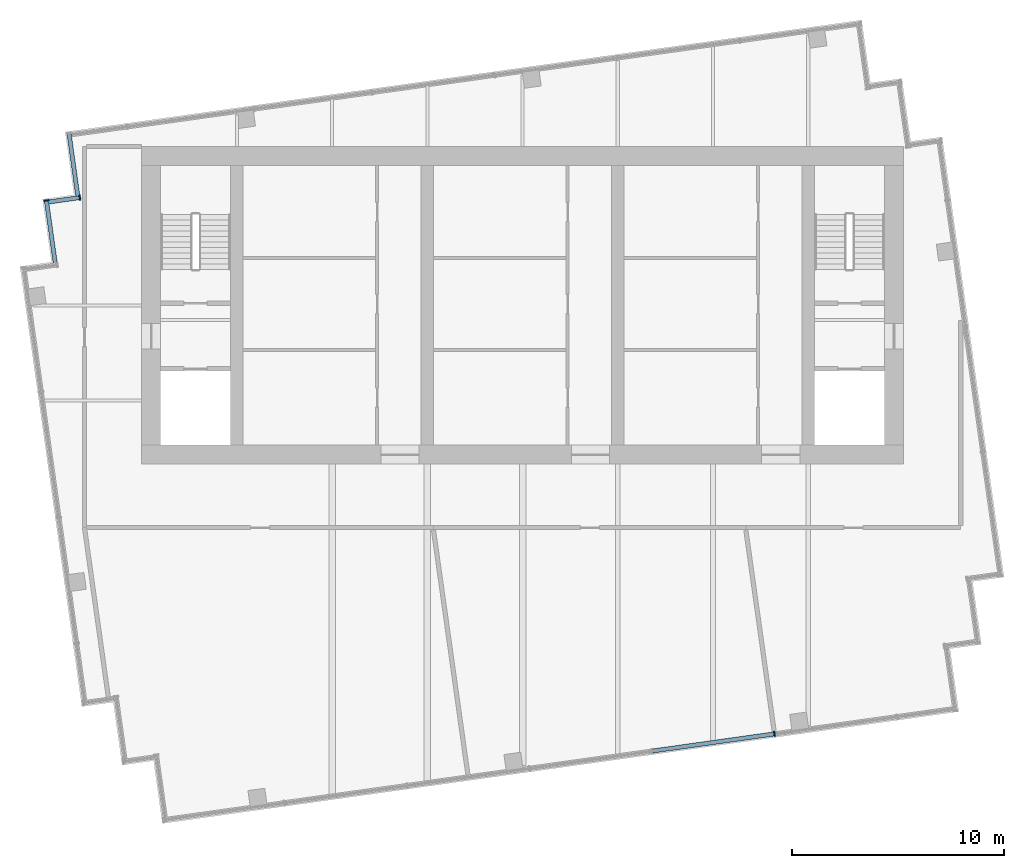
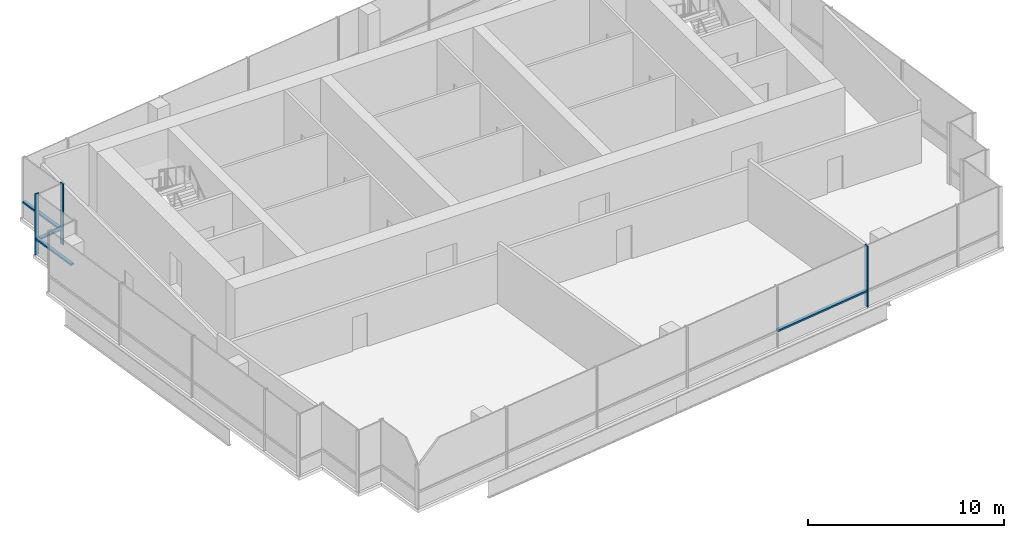
# One storey, part 3 of 9: 7 members, 4 elements without a shape of their own.
"""IFC4 building model written with IfcOpenShell, lengths in metres."""

import ifcopenshell
import ifcopenshell.guid

model = None  # the IFC model being written
_history = None  # IfcOwnerHistory: only IFC2X3 demands one
_inside = {}  # id of a spatial element -> (the spatial element, [elements in it])
_under = {}  # id of a project, library or spatial element -> (it, [spatial elements below it])
_declared = {}  # id of a project -> (the project, [libraries it declares])
_typed = {}  # id of a type object -> (the type object, [elements of that type])
_made_of = {}  # id of a material, layer set ... -> (it, [elements and type objects made of it])


def new_model(schema):
    """Start an empty IFC model of exactly this schema.

    Asked for "IFC4X3", IfcOpenShell would pick the latest addendum, in which some entities
    have other attributes; the version numbers below select the first issue.
    IFC2X3 requires an IfcOwnerHistory on every rooted entity: one is made here for all.
    """
    global model, _history
    if schema == "IFC4X3":
        model = ifcopenshell.file(schema_version=(4, 3, 0, 0))
    else:
        model = ifcopenshell.file(schema=schema)
    _inside.clear()
    _under.clear()
    _declared.clear()
    _typed.clear()
    _made_of.clear()
    _history = None
    if model.schema == "IFC2X3":
        org = make("IfcOrganization", Name="unknown")
        user = make(
            "IfcPersonAndOrganization",
            ThePerson=make("IfcPerson", FamilyName="unknown"),
            TheOrganization=org,
        )
        app = make(
            "IfcApplication",
            ApplicationDeveloper=org,
            Version="unknown",
            ApplicationFullName="unknown",
            ApplicationIdentifier="unknown",
        )
        _history = make(
            "IfcOwnerHistory",
            OwningUser=user,
            OwningApplication=app,
            ChangeAction="ADDED",
            CreationDate=0,
        )
    return model


def make(cls, **values):
    """One entity of the class cls with the attributes given. An attribute that is None is left unset."""
    return model.create_entity(
        cls, **{name: value for name, value in values.items() if value is not None}
    )


def rooted(cls, **values):
    """An entity with a GlobalId (a new one), such as an element, a storey or a relation."""
    return make(cls, GlobalId=ifcopenshell.guid.new(), OwnerHistory=_history, **values)


def si_unit(unit_type, name, prefix=None):
    """IfcSIUnit, for example si_unit("LENGTHUNIT", "METRE", prefix="MILLI")."""
    return make("IfcSIUnit", UnitType=unit_type, Prefix=prefix, Name=name)


def assignment(units):
    """IfcUnitAssignment: the units of a project."""
    return None if units is None else make("IfcUnitAssignment", Units=units)


def point(xyz):
    """IfcCartesianPoint."""
    return None if xyz is None else make("IfcCartesianPoint", Coordinates=xyz)


def direction(xyz):
    """IfcDirection."""
    return None if xyz is None else make("IfcDirection", DirectionRatios=xyz)


def frame(location, z_axis=None, x_axis=None):
    """IfcAxis2Placement3D, a coordinate frame: its origin and axes. An axis left out is left unset."""
    return make(
        "IfcAxis2Placement3D",
        Location=point(location),
        Axis=direction(z_axis),
        RefDirection=direction(x_axis),
    )


def frame_2d(location, x_axis=None):
    """IfcAxis2Placement2D, a coordinate frame in the plane: its origin and x axis."""
    return make(
        "IfcAxis2Placement2D", Location=point(location), RefDirection=direction(x_axis)
    )


def origin():
    """The frame at (0, 0, 0) with its axes left unset."""
    return frame((0.0, 0.0, 0.0))


def origin_2d():
    """The frame at (0, 0) in the plane with its x axis left unset."""
    return frame_2d((0.0, 0.0))


def place(relative_to, where):
    """IfcLocalPlacement: puts the frame where relative to a parent placement (None: the world)."""
    return make(
        "IfcLocalPlacement", PlacementRelTo=relative_to, RelativePlacement=where
    )


def context(
    kind, dimensions, precision=None, world=None, true_north=None, identifier=None
):
    """IfcGeometricRepresentationContext, for example the 3D "Model" context."""
    return make(
        "IfcGeometricRepresentationContext",
        ContextIdentifier=identifier,
        ContextType=kind,
        CoordinateSpaceDimension=dimensions,
        Precision=precision,
        WorldCoordinateSystem=world,
        TrueNorth=true_north,
    )


def subcontext(parent, identifier, kind, view, scale=None):
    """IfcGeometricRepresentationSubContext, for example "Body" below "Model"."""
    return make(
        "IfcGeometricRepresentationSubContext",
        ContextIdentifier=identifier,
        ContextType=kind,
        ParentContext=parent,
        TargetScale=scale,
        TargetView=view,
    )


def project(units=None, contexts=None):
    """IfcProject with its units and contexts."""
    return rooted(
        "IfcProject",
        Name="project",
        RepresentationContexts=contexts,
        UnitsInContext=assignment(units),
    )


def spatial(cls, under=None, at=None, **own):
    """A site, building, storey or space (cls), placed at a placement, below another one or the project."""
    s = rooted(cls, ObjectPlacement=at, **own)
    if under is not None:
        _under.setdefault(under.id(), (under, []))[1].append(s)
    return s


def profile(cls, at=None, kind="AREA", **sizes):
    """A parametric profile (cls). Its sizes go by their IFC names, for example OverallWidth=200.0."""
    return make(cls, ProfileType=kind, Position=at, **sizes)


def rectangle(**sizes):
    """IfcRectangleProfileDef."""
    return profile("IfcRectangleProfileDef", **sizes)


def extrude(swept, where, along, depth):
    """IfcExtrudedAreaSolid: the profile swept, set in the frame where, extruded along a direction by depth."""
    return make(
        "IfcExtrudedAreaSolid",
        SweptArea=swept,
        Position=where,
        ExtrudedDirection=direction(along),
        Depth=depth,
    )


def shape(context_of_items, identifier, shape_type, items):
    """IfcShapeRepresentation: the items that make up one representation, for example the "Body"."""
    return make(
        "IfcShapeRepresentation",
        ContextOfItems=context_of_items,
        RepresentationIdentifier=identifier,
        RepresentationType=shape_type,
        Items=items,
    )


def material(Name=None, Category=None):
    """IfcMaterial."""
    return make("IfcMaterial", Name=Name, Category=Category)


def layer(
    of_material, thickness, ventilated=None, Name=None, Category=None, Priority=None
):
    """IfcMaterialLayer: one layer of a wall or slab, of a material (None: an air gap)."""
    return make(
        "IfcMaterialLayer",
        Material=of_material,
        LayerThickness=thickness,
        IsVentilated=ventilated,
        Name=Name,
        Category=Category,
        Priority=Priority,
    )


def layer_set(layers, Name=None):
    """IfcMaterialLayerSet."""
    return make("IfcMaterialLayerSet", MaterialLayers=layers, LayerSetName=Name)


def material_profile(
    of_material, cross_section, Name=None, Category=None, Priority=None
):
    """IfcMaterialProfile: a cross section and its material."""
    return make(
        "IfcMaterialProfile",
        Name=Name,
        Material=of_material,
        Profile=cross_section,
        Priority=Priority,
        Category=Category,
    )


def profile_set(profiles, Name=None, composite=None):
    """IfcMaterialProfileSet."""
    return make(
        "IfcMaterialProfileSet",
        Name=Name,
        MaterialProfiles=profiles,
        CompositeProfile=composite,
    )


def made_of(thing, what):
    """Note that an element or type object is made of a material, layer set ...; save() writes the relation."""
    if what is not None:
        _made_of.setdefault(what.id(), (what, []))[1].append(thing)
    return thing


def type_object(cls, material=None, **own):
    """A type object (cls), such as IfcWallType, which elements share."""
    return made_of(rooted(cls, **own), material)


def element(
    cls,
    number,
    at=None,
    inside=None,
    cuts=None,
    type_object=None,
    material=None,
    context=None,
    identifier="Body",
    shape_type=None,
    held_by="IfcProductDefinitionShape",
    body=None,
    shapes=None,
    **own,
):
    """One element of the class cls, such as IfcWall. Its Tag is "e" and its number.

    at: its placement. inside: the storey or other place that contains it. cuts: it is an
    opening in that element (IfcRelVoidsElement). A single representation is given by context,
    identifier, shape_type and body (its items); several are given by shapes. held_by: the class
    of the entity that holds the representations. save() writes the other relations.
    """
    e = rooted(cls, Tag="e%d" % number, ObjectPlacement=at, **own)
    if body is not None:
        shapes = [shape(context, identifier, shape_type, body)]
    if shapes is not None:
        e.Representation = make(held_by, Representations=shapes)
    if inside is not None:
        _inside.setdefault(inside.id(), (inside, []))[1].append(e)
    if cuts is not None:
        rooted(
            "IfcRelVoidsElement", RelatingBuildingElement=cuts, RelatedOpeningElement=e
        )
    if type_object is not None:
        _typed.setdefault(type_object.id(), (type_object, []))[1].append(e)
    return made_of(e, material)


def aggregate(whole, parts):
    """IfcRelAggregates: a whole, such as a stair, and the parts it consists of."""
    return rooted("IfcRelAggregates", RelatingObject=whole, RelatedObjects=parts)


def save(model, path):
    """Write the relations noted so far, then the file.

    IfcRelAggregates (storeys below a building ...), IfcRelContainedInSpatialStructure (elements
    in a storey), IfcRelDefinesByType, IfcRelAssociatesMaterial and IfcRelDeclares: one each for
    every whole, place, type object, material and project.
    """
    for whole, parts in _under.values():
        aggregate(whole, parts)
    for where, things in _inside.values():
        rooted(
            "IfcRelContainedInSpatialStructure",
            RelatedElements=things,
            RelatingStructure=where,
        )
    for kind, things in _typed.values():
        rooted("IfcRelDefinesByType", RelatedObjects=things, RelatingType=kind)
    for what, things in _made_of.values():
        rooted("IfcRelAssociatesMaterial", RelatedObjects=things, RelatingMaterial=what)
    for by, libraries in _declared.values():
        rooted("IfcRelDeclares", RelatingContext=by, RelatedDefinitions=libraries)
    model.write(path)


model = new_model("IFC4")

# Units and contexts
model_context = context("Model", 3, precision=1e-05, world=origin(), true_north=direction((0.0, 1.0)))
body_context = subcontext(model_context, "Body", "Model", "MODEL_VIEW")
ifc_project = project(units=[si_unit("LENGTHUNIT", "METRE"), si_unit("AREAUNIT", "SQUARE_METRE"), si_unit("VOLUMEUNIT", "CUBIC_METRE"), si_unit("PLANEANGLEUNIT", "RADIAN"), si_unit("MASSUNIT", "GRAM", prefix="KILO")], contexts=[model_context])

# Site, building, storey
site_placement = place(None, origin())
site = spatial("IfcSite", under=ifc_project, at=site_placement, CompositionType="ELEMENT")
building_placement = place(site_placement, origin())
building = spatial("IfcBuilding", under=site, at=building_placement, Name="Rattan Terrace Tower", CompositionType="ELEMENT")
storey_placement = place(building_placement, frame((0.0, 0.0, 296.300048828125)))
storey = spatial("IfcBuildingStorey", under=building, at=storey_placement, Name="C02", CompositionType="ELEMENT", Elevation=296.300048828125)

# Curtain wall, member
ifc_material_1 = material(Name="Aluminium and laminated glass", Category="aluminium")
ifc_layer = layer(ifc_material_1, 0.239990234375)
ifc_layer_set = layer_set([ifc_layer], Name="Lantern Stick Curtain Wall")
curtain_wall_type = type_object("IfcCurtainWallType", Name="Lantern Stick Curtain Wall", PredefinedType="NOTDEFINED", material=ifc_layer_set)
curtain_wall_1_placement = place(storey_placement, origin())
curtain_wall_1 = element("IfcCurtainWall", 1, at=curtain_wall_1_placement, inside=storey, type_object=curtain_wall_type, Name="Lantern curtain wall C02-6", PredefinedType="NOTDEFINED")
ifc_material_2 = material(Name="Aluminium", Category="aluminium")
ifc_material_profile_1 = material_profile(ifc_material_2, rectangle(XDim=0.070068359375, YDim=0.239990234375, at=origin_2d()), Name="Aluminium 70x240")
ifc_profile_set_1 = profile_set([ifc_material_profile_1], Name="Aluminium")
member_type_1 = type_object("IfcMemberType", Name="Lantern CW Mullion 70x240", PredefinedType="MULLION", material=ifc_profile_set_1)
member_1_placement = place(storey_placement, frame((11.90283203125, -20.247314453125, 0.0), z_axis=(0.0, 0.0, 1.0), x_axis=(0.990266952226, 0.13918104515, 0.0)))
member_1 = element("IfcMember", 2, at=member_1_placement, type_object=member_type_1, Name="Mullion cwl-C02-006.6", PredefinedType="MULLION", context=body_context, shape_type="SweptSolid", body=[
    extrude(rectangle(XDim=0.070068359375, YDim=0.239990234375, at=origin_2d()), origin(), (0.0, 0.0, 1.0), 3.800048828125),
])

curtain_wall_2_placement = place(storey_placement, origin())
curtain_wall_2 = element("IfcCurtainWall", 3, at=curtain_wall_2_placement, inside=storey, type_object=curtain_wall_type, Name="Lantern curtain wall C02-18", PredefinedType="NOTDEFINED")
member_2_placement = place(storey_placement, frame((-20.9189453125, 5.09228515625, 0.0), z_axis=(0.0, 0.0, 1.0), x_axis=(-0.990227803001, -0.139459306479, 0.0)))
member_2 = element("IfcMember", 4, at=member_2_placement, type_object=member_type_1, Name="Mullion cwl-C02-018.1", PredefinedType="MULLION", context=body_context, shape_type="SweptSolid", body=[
    extrude(rectangle(XDim=0.070068359375, YDim=0.239990234375, at=origin_2d()), origin(), (0.0, 0.0, 1.0), 3.800048828125),
])

curtain_wall_3_placement = place(storey_placement, origin())
curtain_wall_3 = element("IfcCurtainWall", 5, at=curtain_wall_3_placement, inside=storey, type_object=curtain_wall_type, Name="Lantern curtain wall C02-19", PredefinedType="NOTDEFINED")
member_3_placement = place(storey_placement, frame((-22.498779296875, 4.95556640625, 0.0), z_axis=(0.0, 0.0, 1.0), x_axis=(0.139367219175, -0.990240767803, 0.0)))
member_3 = element("IfcMember", 6, at=member_3_placement, type_object=member_type_1, Name="Mullion cwl-C02-019.1", PredefinedType="MULLION", context=body_context, shape_type="SweptSolid", body=[
    extrude(rectangle(XDim=0.070068359375, YDim=0.239990234375, at=origin_2d()), origin(), (0.0, 0.0, 1.0), 3.800048828125),
])

# Member
ifc_material_3 = material(Name="Aluminium", Category="aluminium")
ifc_material_profile_2 = material_profile(ifc_material_3, rectangle(XDim=0.199951171875, YDim=0.10009765625, at=origin_2d()), Name="Aluminium 200x100")
ifc_profile_set_2 = profile_set([ifc_material_profile_2], Name="Aluminium")
member_type_2 = type_object("IfcMemberType", Name="Lantern CW Transom 200x100", PredefinedType="USERDEFINED", material=ifc_profile_set_2)
member_4_placement = place(storey_placement, frame((6.1484375, -21.05615234375, 1.0), z_axis=(0.990265684123, 0.139190067348, 0.0), x_axis=(-0.139190067348, 0.990265684123, 0.0)))
member_4 = element("IfcMember", 7, at=member_4_placement, type_object=member_type_2, Name="Transom cwl-C02-006.5", ObjectType="TRANSOM", PredefinedType="USERDEFINED", context=body_context, shape_type="SweptSolid", body=[
    extrude(rectangle(XDim=0.199951171875, YDim=0.10009765625, at=origin_2d()), origin(), (0.0, 0.0, 1.0), 5.77587890625),
])

aggregate(curtain_wall_1, [member_1, member_4])

# Curtain wall, member
curtain_wall_4_placement = place(storey_placement, origin())
curtain_wall_4 = element("IfcCurtainWall", 8, at=curtain_wall_4_placement, inside=storey, type_object=curtain_wall_type, Name="Lantern curtain wall C02-17", PredefinedType="NOTDEFINED")
member_5_placement = place(storey_placement, frame((-21.427001953125, 8.099853515625, 1.0), z_axis=(0.139028781454, -0.990288340801, 0.0), x_axis=(0.990288340801, 0.139028781454, 0.0)))
member_5 = element("IfcMember", 9, at=member_5_placement, type_object=member_type_2, Name="Transom cwl-C02-017.1", ObjectType="TRANSOM", PredefinedType="USERDEFINED", context=body_context, shape_type="SweptSolid", body=[
    extrude(rectangle(XDim=0.199951171875, YDim=0.10009765625, at=origin_2d()), origin(), (0.0, 0.0, 1.0), 2.92919921875),
])
aggregate(curtain_wall_4, [member_5])

# Member
member_6_placement = place(storey_placement, frame((-20.95361328125, 5.08740234375, 1.0), z_axis=(-0.990227834808, -0.139459080636, 0.0), x_axis=(0.139459080636, -0.990227834808, 0.0)))
member_6 = element("IfcMember", 10, at=member_6_placement, type_object=member_type_2, Name="Transom cwl-C02-018.1", ObjectType="TRANSOM", PredefinedType="USERDEFINED", context=body_context, shape_type="SweptSolid", body=[
    extrude(rectangle(XDim=0.199951171875, YDim=0.10009765625, at=origin_2d()), origin(), (0.0, 0.0, 1.0), 1.428466796875),
])

aggregate(curtain_wall_2, [member_2, member_6])

member_7_placement = place(storey_placement, frame((-22.493896484375, 4.9208984375, 1.0), z_axis=(0.139355716724, -0.990242386599, 0.0), x_axis=(0.990242386599, 0.139355716724, 0.0)))
member_7 = element("IfcMember", 11, at=member_7_placement, type_object=member_type_2, Name="Transom cwl-C02-019.1", ObjectType="TRANSOM", PredefinedType="USERDEFINED", context=body_context, shape_type="SweptSolid", body=[
    extrude(rectangle(XDim=0.199951171875, YDim=0.10009765625, at=origin_2d()), origin(), (0.0, 0.0, 1.0), 2.92919921875),
])

aggregate(curtain_wall_3, [member_3, member_7])

save(model, "model.ifc")
